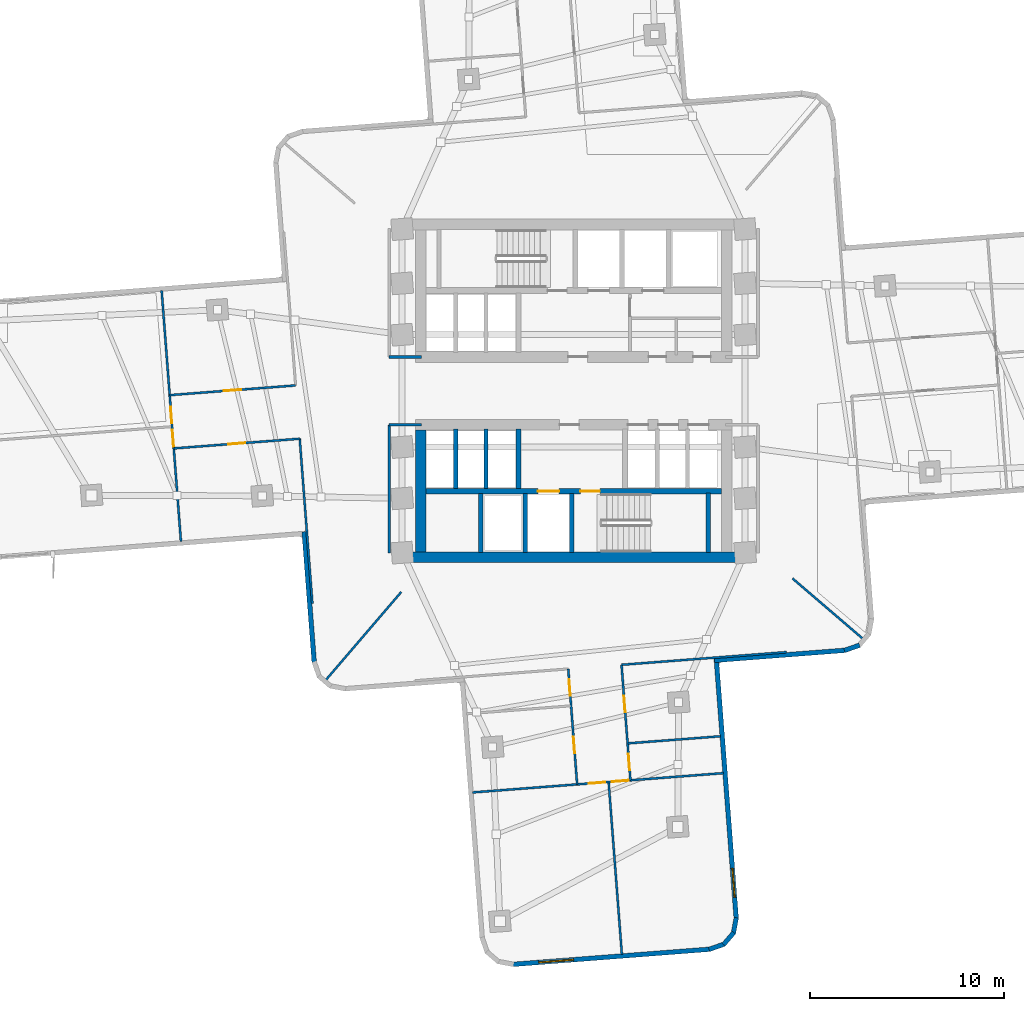
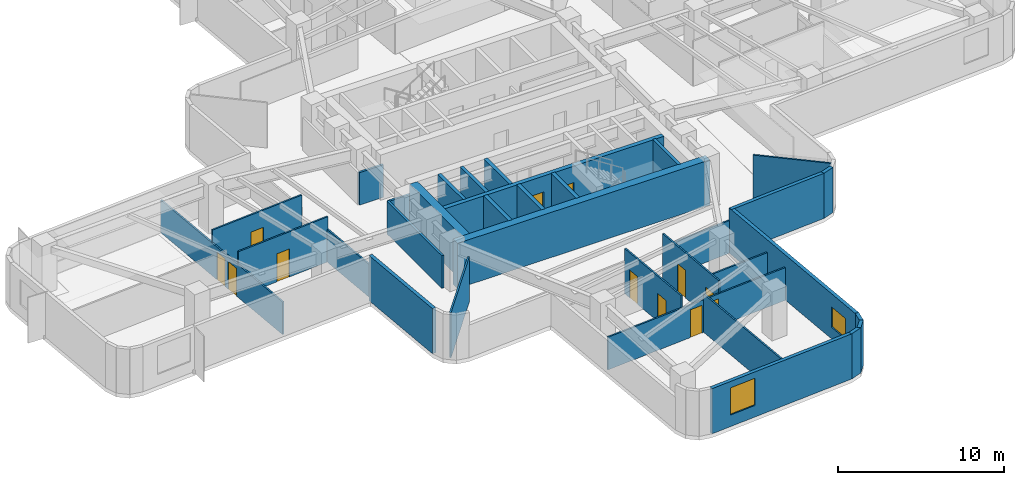
# One storey, part 3 of 10: 33 walls, 12 doors, 2 windows, 14 openings.
"""IFC4 building model written with IfcOpenShell, lengths in metres."""

from ifc_helpers import new_model, si_unit, direction, frame, frame_2d, origin, place, context, subcontext, project, spatial, rectangle, extrude, material, layer, layer_set, type_object, element, fill, save


model = new_model("IFC4")

# Units and contexts
model_context = context("Model", 3, precision=1e-05, world=origin(), true_north=direction((0.0, 1.0)))
body_context = subcontext(model_context, "Body", "Model", "MODEL_VIEW")
ifc_project = project(units=[si_unit("LENGTHUNIT", "METRE"), si_unit("AREAUNIT", "SQUARE_METRE"), si_unit("VOLUMEUNIT", "CUBIC_METRE"), si_unit("PLANEANGLEUNIT", "RADIAN"), si_unit("MASSUNIT", "GRAM", prefix="KILO")], contexts=[model_context])

# Site, building, storey
site_placement = place(None, origin())
site = spatial("IfcSite", under=ifc_project, at=site_placement, CompositionType="ELEMENT")
building_placement = place(site_placement, origin())
building = spatial("IfcBuilding", under=site, at=building_placement, Name="Solmarez Civic Tower", CompositionType="ELEMENT")
storey_placement = place(building_placement, frame((0.0, 0.0, 56.8798828125)))
storey = spatial("IfcBuildingStorey", under=building, at=storey_placement, Name="L14", CompositionType="ELEMENT", Elevation=56.8798828125)

# Walls
ifc_material_1 = material(Name="Concrete C60/75", Category="concrete")
ifc_layer_1 = layer(ifc_material_1, 0.550048828125)
ifc_layer_set_1 = layer_set([ifc_layer_1], Name="Concrete C60/75")
wall_type_1 = type_object("IfcWallType", Name="WALL-CORE-550", PredefinedType="SHEAR", material=ifc_layer_set_1)
wall_1_placement = place(storey_placement, frame((8.780029296875, -8.5849609375, 0.0), z_axis=(0.0, 0.0, 1.0), x_axis=(-1.0, 0.0, 0.0)))
element("IfcWall", 1, at=wall_1_placement, inside=storey, type_object=wall_type_1, Name="L14 Split-Core Structural Wall SCW-S-L14", PredefinedType="SHEAR", context=body_context, shape_type="SweptSolid", body=[
    extrude(rectangle(XDim=17.56005859375, YDim=0.550048828125, at=frame_2d((8.780029296875, 0.0))), origin(), (0.0, 0.0, 1.0), 3.320068359375),
])
wall_2_placement = place(storey_placement, frame((-7.89501953125, -8.31005859375, 0.0), z_axis=(0.0, 0.0, 1.0), x_axis=(0.0, 1.0, 0.0)))
element("IfcWall", 2, at=wall_2_placement, inside=storey, type_object=wall_type_1, Name="L14 Split-Core Structural Wall SCW-W-L14", PredefinedType="SHEAR", context=body_context, shape_type="SweptSolid", body=[
    extrude(rectangle(XDim=6.28515625, YDim=0.550048828125, at=frame_2d((3.142578125, 0.0))), origin(), (0.0, 0.0, 1.0), 3.320068359375),
])
ifc_material_2 = material(Name="Precast concrete C40/50", Category="concrete")
ifc_layer_2 = layer(ifc_material_2, 0.239990234375)
ifc_layer_set_2 = layer_set([ifc_layer_2], Name="Precast concrete C40/50")
wall_type_2 = type_object("IfcWallType", Name="WALL-EXT-240", PredefinedType="SOLIDWALL", material=ifc_layer_set_2)
wall_3_placement = place(storey_placement, frame((14.762939453125, -13.1279296875, 0.0), z_axis=(0.0, 0.0, 1.0), x_axis=(-0.943569376564, -0.331174926, 0.0)))
element("IfcWall", 3, at=wall_3_placement, inside=storey, type_object=wall_type_2, Name="L14 Exterior Precast Wall 52", PredefinedType="SOLIDWALL", context=body_context, shape_type="SweptSolid", body=[
    extrude(rectangle(XDim=0.830810546875, YDim=0.239990234375, at=frame_2d((0.41552734375, 0.0))), origin(), (0.0, 0.0, 1.0), 3.320068359375),
])
wall_4_placement = place(storey_placement, frame((14.028076171875, -13.39306640625, 0.0), z_axis=(0.0, 0.0, 1.0), x_axis=(-0.997050032451, -0.076754366588, 0.0)))
element("IfcWall", 4, at=wall_4_placement, inside=storey, type_object=wall_type_2, Name="L14 Exterior Precast Wall 53", PredefinedType="SOLIDWALL", context=body_context, shape_type="SweptSolid", body=[
    extrude(rectangle(XDim=6.775146484375, YDim=0.239990234375, at=frame_2d((3.3876953125, 0.0))), origin(), (0.0, 0.0, 1.0), 3.320068359375),
])

# Wall, opening, window
wall_5_placement = place(storey_placement, frame((7.362060546875, -13.81005859375, 0.0), z_axis=(0.0, 0.0, 1.0), x_axis=(0.076653550573, -0.997057788287, 0.0)))
wall_5 = element("IfcWall", 5, at=wall_5_placement, inside=storey, type_object=wall_type_2, Name="L14 Exterior Precast Wall 56", PredefinedType="SOLIDWALL", context=body_context, shape_type="SweptSolid", body=[
    extrude(rectangle(XDim=13.4755859375, YDim=0.239990234375, at=frame_2d((6.73779296875, 0.0))), origin(), (0.0, 0.0, 1.0), 3.320068359375),
])
opening_1_placement = place(wall_5_placement, frame((10.8759765625, 0.0, 0.85009765625)))
opening_1 = element("IfcOpeningElement", 6, at=opening_1_placement, cuts=wall_5, Name="Opening W-14", PredefinedType="OPENING", context=body_context, shape_type="SweptSolid", body=[
    extrude(rectangle(XDim=1.5, YDim=1.5, at=frame_2d((0.75, 0.75))), frame((0.0, 0.1298828125, 0.0), z_axis=(0.0, -1.0, 0.0), x_axis=(1.0, 0.0, 0.0)), (0.0, 0.0, 1.0), 0.260009765625),
])
ifc_material_3 = material(Name="Solar Control Bronze-Tinted Insulating Glass", Category="glass")
window_type_1 = type_object("IfcWindowType", Name="WIN-1500X1500", PartitioningType="SINGLE_PANEL", PredefinedType="WINDOW", material=ifc_material_3)
window_1_placement = place(opening_1_placement, origin())
window_1 = element("IfcWindow", 7, at=window_1_placement, inside=storey, type_object=window_type_1, Name="L14 Exterior Facade Window 56", OverallHeight=1.5, OverallWidth=1.5, PartitioningType="SINGLE_PANEL", PredefinedType="WINDOW", context=body_context, shape_type="SweptSolid", body=[
    extrude(rectangle(XDim=1.5, YDim=1.5, at=frame_2d((0.75, 0.75))), frame((0.0, 0.030029296875, 0.0), z_axis=(0.0, -1.0, 0.0), x_axis=(1.0, 0.0, 0.0)), (0.0, 0.0, 1.0), 0.06005859375),
])
fill(opening_1, window_1)

# Walls
wall_6_placement = place(storey_placement, frame((8.39794921875, -27.196044921875, 0.0), z_axis=(0.0, 0.0, 1.0), x_axis=(-0.184110958028, -0.982905466021, 0.0)))
element("IfcWall", 8, at=wall_6_placement, inside=storey, type_object=wall_type_2, Name="L14 Exterior Precast Wall 57", PredefinedType="SOLIDWALL", context=body_context, shape_type="SweptSolid", body=[
    extrude(rectangle(XDim=0.830078125, YDim=0.239990234375, at=frame_2d((0.4150390625, 0.0))), origin(), (0.0, 0.0, 1.0), 3.320068359375),
])
wall_7_placement = place(storey_placement, frame((8.26611328125, -27.968017578125, 0.0), z_axis=(0.0, 0.0, 1.0), x_axis=(-0.65106299761, -0.759023697352, 0.0)))
element("IfcWall", 9, at=wall_7_placement, inside=storey, type_object=wall_type_2, Name="L14 Exterior Precast Wall 58", PredefinedType="SOLIDWALL", context=body_context, shape_type="SweptSolid", body=[
    extrude(rectangle(XDim=0.814208984375, YDim=0.239990234375, at=frame_2d((0.4072265625, 0.0))), origin(), (0.0, 0.0, 1.0), 3.320068359375),
])
wall_8_placement = place(storey_placement, frame((7.77587890625, -28.55908203125, 0.0), z_axis=(0.0, 0.0, 1.0), x_axis=(-0.943293653353, -0.331959460694, 0.0)))
element("IfcWall", 10, at=wall_8_placement, inside=storey, type_object=wall_type_2, Name="L14 Exterior Precast Wall 59", PredefinedType="SOLIDWALL", context=body_context, shape_type="SweptSolid", body=[
    extrude(rectangle(XDim=0.8310546875, YDim=0.239990234375, at=frame_2d((0.41552734375, 0.0))), origin(), (0.0, 0.0, 1.0), 3.320068359375),
])

# Wall, opening, window
wall_9_placement = place(storey_placement, frame((7.041015625, -28.824951171875, 0.0), z_axis=(0.0, 0.0, 1.0), x_axis=(-0.997052658111, -0.076720251263, 0.0)))
wall_9 = element("IfcWall", 11, at=wall_9_placement, inside=storey, type_object=wall_type_2, Name="L14 Exterior Precast Wall 60", PredefinedType="SOLIDWALL", context=body_context, shape_type="SweptSolid", body=[
    extrude(rectangle(XDim=10.218017578125, YDim=0.239990234375, at=frame_2d((5.10888671875, 0.0))), origin(), (0.0, 0.0, 1.0), 3.320068359375),
])
opening_2_placement = place(wall_9_placement, frame((7.070068359375, 0.0, 0.85009765625)))
opening_2 = element("IfcOpeningElement", 12, at=opening_2_placement, cuts=wall_9, Name="Opening W-04", PredefinedType="OPENING", context=body_context, shape_type="SweptSolid", body=[
    extrude(rectangle(XDim=1.800048828125, YDim=2.0, at=frame_2d((0.89990234375, 1.0))), frame((0.0, 0.1298828125, 0.0), z_axis=(0.0, -1.0, 0.0), x_axis=(1.0, 0.0, 0.0)), (0.0, 0.0, 1.0), 0.260009765625),
])
window_type_2 = type_object("IfcWindowType", Name="WIN-1800X2000", PartitioningType="SINGLE_PANEL", PredefinedType="WINDOW", material=ifc_material_3)
window_2_placement = place(opening_2_placement, origin())
window_2 = element("IfcWindow", 13, at=window_2_placement, inside=storey, type_object=window_type_2, Name="L14 Exterior Facade Window 60", OverallHeight=2.0, OverallWidth=1.800048828125, PartitioningType="SINGLE_PANEL", PredefinedType="WINDOW", context=body_context, shape_type="SweptSolid", body=[
    extrude(rectangle(XDim=1.800048828125, YDim=2.0, at=frame_2d((0.89990234375, 1.0))), frame((0.0, 0.030029296875, 0.0), z_axis=(0.0, -1.0, 0.0), x_axis=(1.0, 0.0, 0.0)), (0.0, 0.0, 1.0), 0.06005859375),
])
fill(opening_2, window_2)

# Walls
wall_10_placement = place(storey_placement, frame((-13.39306640625, -14.028076171875, 0.0), z_axis=(0.0, 0.0, 1.0), x_axis=(-0.076754366588, 0.997050032451, 0.0)))
element("IfcWall", 14, at=wall_10_placement, inside=storey, type_object=wall_type_2, Name="L14 Exterior Precast Wall 71", PredefinedType="SOLIDWALL", context=body_context, shape_type="SweptSolid", body=[
    extrude(rectangle(XDim=6.775146484375, YDim=0.239990234375, at=frame_2d((3.3876953125, 0.0))), origin(), (0.0, 0.0, 1.0), 3.320068359375),
])
ifc_material_4 = material(Name="Gypsum Board Acoustic Steel-Stud Partition", Category="steel")
ifc_layer_3 = layer(ifc_material_4, 0.14990234375)
ifc_layer_set_3 = layer_set([ifc_layer_3], Name="Gypsum Board Acoustic Steel-Stud Partition")
wall_type_3 = type_object("IfcWallType", Name="WALL-INT-FIRE-150", PredefinedType="PARTITIONING", material=ifc_layer_set_3)
wall_11_placement = place(storey_placement, frame((-7.85009765625, 1.75, 0.0), z_axis=(0.0, 0.0, 1.0), x_axis=(-1.0, 0.0, 0.0)))
element("IfcWall", 15, at=wall_11_placement, inside=storey, type_object=wall_type_3, Name="L14 Interior Partition CHW-L14-WN3", PredefinedType="PARTITIONING", context=body_context, shape_type="SweptSolid", body=[
    extrude(rectangle(XDim=1.669921875, YDim=0.14990234375, at=frame_2d((0.8349609375, 0.0))), origin(), (0.0, 0.0, 1.0), 2.385009765625),
])
wall_12_placement = place(storey_placement, frame((-9.52001953125, -8.3798828125, 0.0), z_axis=(0.0, 0.0, 1.0), x_axis=(0.0, 1.0, 0.0)))
element("IfcWall", 16, at=wall_12_placement, inside=storey, type_object=wall_type_3, Name="L14 Interior Partition CHW-L14-WS1", PredefinedType="PARTITIONING", context=body_context, shape_type="SweptSolid", body=[
    extrude(rectangle(XDim=6.6298828125, YDim=0.14990234375, at=frame_2d((3.31494140625, 0.0))), origin(), (0.0, 0.0, 1.0), 2.401123046875),
])
wall_13_placement = place(storey_placement, frame((-7.85009765625, -1.75, 0.0), z_axis=(0.0, 0.0, 1.0), x_axis=(-1.0, 0.0, 0.0)))
element("IfcWall", 17, at=wall_13_placement, inside=storey, type_object=wall_type_3, Name="L14 Interior Partition CHW-L14-WS3", PredefinedType="PARTITIONING", context=body_context, shape_type="SweptSolid", body=[
    extrude(rectangle(XDim=1.669921875, YDim=0.14990234375, at=frame_2d((0.8349609375, 0.0))), origin(), (0.0, 0.0, 1.0), 2.385009765625),
])
ifc_layer_4 = layer(ifc_material_4, 0.110107421875)
ifc_layer_set_4 = layer_set([ifc_layer_4], Name="Gypsum Board Acoustic Steel-Stud Partition")
wall_type_4 = type_object("IfcWallType", Name="WALL-INT-PART-110", PredefinedType="PARTITIONING", material=ifc_layer_set_4)
wall_14_placement = place(storey_placement, frame((-8.89697265625, -10.3798828125, 0.0), z_axis=(0.0, 0.0, 1.0), x_axis=(-0.650777932984, -0.759268122564, 0.0)))
element("IfcWall", 18, at=wall_14_placement, inside=storey, type_object=wall_type_4, Name="L14 Interior Partition PT-L14-QDIV-3", PredefinedType="PARTITIONING", context=body_context, shape_type="SweptSolid", body=[
    extrude(rectangle(XDim=5.983642578125, YDim=0.110107421875, at=frame_2d((2.99169921875, 0.0))), origin(), (0.0, 0.0, 1.0), 3.320068359375),
])
wall_15_placement = place(storey_placement, frame((11.300048828125, -9.68505859375, 0.0), z_axis=(0.0, 0.0, 1.0), x_axis=(0.759206042513, -0.650850355313, 0.0)))
element("IfcWall", 19, at=wall_15_placement, inside=storey, type_object=wall_type_4, Name="L14 Interior Partition PT-L14-QDIV-4", PredefinedType="PARTITIONING", context=body_context, shape_type="SweptSolid", body=[
    extrude(rectangle(XDim=4.772216796875, YDim=0.110107421875, at=frame_2d((2.38623046875, 0.0))), origin(), (0.0, 0.0, 1.0), 3.320068359375),
])
wall_16_placement = place(storey_placement, frame((-14.14306640625, -2.4619140625, 0.0), z_axis=(0.0, 0.0, 1.0), x_axis=(0.076722700704, -0.997052469631, 0.0)))
element("IfcWall", 20, at=wall_16_placement, inside=storey, type_object=wall_type_4, Name="L14 Interior Partition PT-L14-W-EFL", PredefinedType="PARTITIONING", context=body_context, shape_type="SweptSolid", body=[
    extrude(rectangle(XDim=8.55029296875, YDim=0.110107421875, at=frame_2d((4.275146484375, 0.0))), origin(), (0.0, 0.0, 1.0), 2.401123046875),
])

# Wall, opening, door
wall_17_placement = place(storey_placement, frame((-20.64306640625, -2.971923828125, 0.0), z_axis=(0.0, 0.0, 1.0), x_axis=(0.997055366468, 0.076685045461, 0.0)))
wall_17 = element("IfcWall", 21, at=wall_17_placement, inside=storey, type_object=wall_type_4, Name="L14 Interior Partition PT-L14-W-SL", PredefinedType="PARTITIONING", context=body_context, shape_type="SweptSolid", body=[
    extrude(rectangle(XDim=6.520263671875, YDim=0.110107421875, at=frame_2d((3.26025390625, 0.0))), origin(), (0.0, 0.0, 1.0), 3.320068359375),
])
opening_3_placement = place(wall_17_placement, frame((2.81005859375, 0.0, 0.0)))
opening_3 = element("IfcOpeningElement", 22, at=opening_3_placement, cuts=wall_17, Name="Opening D-08", PredefinedType="OPENING", context=body_context, shape_type="SweptSolid", body=[
    extrude(rectangle(XDim=0.89990234375, YDim=2.06005859375, at=frame_2d((0.449951171875, 1.030029296875))), frame((0.0, 0.06494140625, 0.0), z_axis=(0.0, -1.0, 0.0), x_axis=(1.0, 0.0, 0.0)), (0.0, 0.0, 1.0), 0.130126953125),
])
ifc_material_5 = material(Name="Solid-Core Timber Office Door", Category="wood")
door_type_1 = type_object("IfcDoorType", Name="DOOR-INT-900", OperationType="NOTDEFINED", PredefinedType="DOOR", material=ifc_material_5)
door_1_placement = place(opening_3_placement, origin())
door_1 = element("IfcDoor", 23, at=door_1_placement, inside=storey, type_object=door_type_1, Name="L14 Delegates Sitting Lounge West Door", OperationType="SINGLE_SWING_LEFT", OverallHeight=2.06005859375, OverallWidth=0.89990234375, PredefinedType="DOOR", context=body_context, shape_type="SweptSolid", body=[
    extrude(rectangle(XDim=0.89990234375, YDim=2.06005859375, at=frame_2d((0.449951171875, 1.030029296875))), frame((0.0, 0.02490234375, 0.0), z_axis=(0.0, -1.0, 0.0), x_axis=(1.0, 0.0, 0.0)), (0.0, 0.0, 1.0), 0.050048828125),
])
fill(opening_3, door_1)

wall_18_placement = place(storey_placement, frame((-14.35400390625, 0.280029296875, 0.0), z_axis=(0.0, 0.0, 1.0), x_axis=(-0.997043903764, -0.076833937604, 0.0)))
wall_18 = element("IfcWall", 24, at=wall_18_placement, inside=storey, type_object=wall_type_4, Name="L14 Interior Partition PT-L14-W-SR", PredefinedType="PARTITIONING", context=body_context, shape_type="SweptSolid", body=[
    extrude(rectangle(XDim=6.520263671875, YDim=0.110107421875, at=frame_2d((3.26025390625, 0.0))), origin(), (0.0, 0.0, 1.0), 3.320068359375),
])
opening_4_placement = place(wall_18_placement, frame((2.81005859375, 0.0, 0.0)))
opening_4 = element("IfcOpeningElement", 25, at=opening_4_placement, cuts=wall_18, Name="Opening D-08", PredefinedType="OPENING", context=body_context, shape_type="SweptSolid", body=[
    extrude(rectangle(XDim=0.89990234375, YDim=2.06005859375, at=frame_2d((0.449951171875, 1.030029296875))), frame((0.0, 0.06494140625, 0.0), z_axis=(0.0, -1.0, 0.0), x_axis=(1.0, 0.0, 0.0)), (0.0, 0.0, 1.0), 0.130126953125),
])
door_2_placement = place(opening_4_placement, origin())
door_2 = element("IfcDoor", 26, at=door_2_placement, inside=storey, type_object=door_type_1, Name="L14 Civic Multi-Purpose Room West Door", OperationType="SINGLE_SWING_RIGHT", OverallHeight=2.06005859375, OverallWidth=0.89990234375, PredefinedType="DOOR", context=body_context, shape_type="SweptSolid", body=[
    extrude(rectangle(XDim=0.89990234375, YDim=2.06005859375, at=frame_2d((0.449951171875, 1.030029296875))), frame((0.0, 0.02490234375, 0.0), z_axis=(0.0, -1.0, 0.0), x_axis=(1.0, 0.0, 0.0)), (0.0, 0.0, 1.0), 0.050048828125),
])
fill(opening_4, door_2)

# Wall, openings, doors
wall_19_placement = place(storey_placement, frame((-20.27392578125, -7.77294921875, 0.0), z_axis=(0.0, 0.0, 1.0), x_axis=(-0.076686437656, 0.997055259391, 0.0)))
wall_19 = element("IfcWall", 27, at=wall_19_placement, inside=storey, type_object=wall_type_4, Name="L14 Interior Partition PT-L14-W-END", PredefinedType="PARTITIONING", context=body_context, shape_type="SweptSolid", body=[
    extrude(rectangle(XDim=12.9892578125, YDim=0.110107421875, at=frame_2d((6.49462890625, 0.0))), origin(), (0.0, 0.0, 1.0), 2.401123046875),
])
opening_5_placement = place(wall_19_placement, frame((6.114990234375, 0.0, 0.0)))
opening_5 = element("IfcOpeningElement", 28, at=opening_5_placement, cuts=wall_19, Name="Opening D-14", PredefinedType="OPENING", context=body_context, shape_type="SweptSolid", body=[
    extrude(rectangle(XDim=0.860107421875, YDim=2.0400390625, at=frame_2d((0.43017578125, 1.02001953125))), frame((0.0, 0.06494140625, 0.0), z_axis=(0.0, -1.0, 0.0), x_axis=(1.0, 0.0, 0.0)), (0.0, 0.0, 1.0), 0.130126953125),
])
opening_6_placement = place(wall_19_placement, frame((4.9150390625, 0.0, 0.0)))
opening_6 = element("IfcOpeningElement", 29, at=opening_6_placement, cuts=wall_19, Name="Opening D-14", PredefinedType="OPENING", context=body_context, shape_type="SweptSolid", body=[
    extrude(rectangle(XDim=0.860107421875, YDim=2.0400390625, at=frame_2d((0.43017578125, 1.02001953125))), frame((0.0, 0.06494140625, 0.0), z_axis=(0.0, -1.0, 0.0), x_axis=(1.0, 0.0, 0.0)), (0.0, 0.0, 1.0), 0.130126953125),
])
ifc_material_6 = material(Name="Timber Storage and Pantry Door", Category="wood")
door_type_2 = type_object("IfcDoorType", Name="DOOR-INT-850", OperationType="NOTDEFINED", PredefinedType="DOOR", material=ifc_material_6)
door_3_placement = place(opening_5_placement, origin())
door_3 = element("IfcDoor", 30, at=door_3_placement, inside=storey, type_object=door_type_2, Name="L14 Catering Servery Sixth West Door", OperationType="SINGLE_SWING_RIGHT", OverallHeight=2.0400390625, OverallWidth=0.860107421875, PredefinedType="DOOR", context=body_context, shape_type="SweptSolid", body=[
    extrude(rectangle(XDim=0.860107421875, YDim=2.0400390625, at=frame_2d((0.43017578125, 1.02001953125))), frame((0.0, 0.02490234375, 0.0), z_axis=(0.0, -1.0, 0.0), x_axis=(1.0, 0.0, 0.0)), (0.0, 0.0, 1.0), 0.050048828125),
])
fill(opening_5, door_3)
door_4_placement = place(opening_6_placement, origin())
door_4 = element("IfcDoor", 31, at=door_4_placement, inside=storey, type_object=door_type_2, Name="L14 Staff Dining Canteen Fifth West Door", OperationType="SINGLE_SWING_LEFT", OverallHeight=2.0400390625, OverallWidth=0.860107421875, PredefinedType="DOOR", context=body_context, shape_type="SweptSolid", body=[
    extrude(rectangle(XDim=0.860107421875, YDim=2.0400390625, at=frame_2d((0.43017578125, 1.02001953125))), frame((0.0, 0.02490234375, 0.0), z_axis=(0.0, -1.0, 0.0), x_axis=(1.0, 0.0, 0.0)), (0.0, 0.0, 1.0), 0.050048828125),
])
fill(opening_6, door_4)

# Walls
wall_20_placement = place(storey_placement, frame((2.4619140625, -14.14306640625, 0.0), z_axis=(0.0, 0.0, 1.0), x_axis=(0.997052469631, 0.076722700704, 0.0)))
element("IfcWall", 32, at=wall_20_placement, inside=storey, type_object=wall_type_4, Name="L14 Interior Partition PT-L14-S-EFL", PredefinedType="PARTITIONING", context=body_context, shape_type="SweptSolid", body=[
    extrude(rectangle(XDim=8.55029296875, YDim=0.110107421875, at=frame_2d((4.275146484375, 0.0))), origin(), (0.0, 0.0, 1.0), 2.401123046875),
])
wall_21_placement = place(storey_placement, frame((2.803955078125, -18.197998046875, 0.0), z_axis=(0.0, 0.0, 1.0), x_axis=(0.997067648773, 0.076525183889, 0.0)))
element("IfcWall", 33, at=wall_21_placement, inside=storey, type_object=wall_type_4, Name="L14 Interior Partition PT-L14-S-LM", PredefinedType="PARTITIONING", context=body_context, shape_type="SweptSolid", body=[
    extrude(rectangle(XDim=4.795166015625, YDim=0.110107421875, at=frame_2d((2.3974609375, 0.0))), origin(), (0.0, 0.0, 1.0), 2.401123046875),
])

# Wall, openings, doors
wall_22_placement = place(storey_placement, frame((2.930908203125, -20.10400390625, 0.0), z_axis=(0.0, 0.0, 1.0), x_axis=(-0.076758943432, 0.997049680108, 0.0)))
wall_22 = element("IfcWall", 34, at=wall_22_placement, inside=storey, type_object=wall_type_4, Name="L14 Interior Partition PT-L14-S-SL", PredefinedType="PARTITIONING", context=body_context, shape_type="SweptSolid", body=[
    extrude(rectangle(XDim=5.9794921875, YDim=0.110107421875, at=frame_2d((2.98974609375, 0.0))), origin(), (0.0, 0.0, 1.0), 3.320068359375),
])
opening_7_placement = place(wall_22_placement, frame((3.514892578125, 0.0, 0.0)))
opening_7 = element("IfcOpeningElement", 35, at=opening_7_placement, cuts=wall_22, Name="Opening D-14", PredefinedType="OPENING", context=body_context, shape_type="SweptSolid", body=[
    extrude(rectangle(XDim=0.860107421875, YDim=2.0400390625, at=frame_2d((0.43017578125, 1.02001953125))), frame((0.0, 0.06494140625, 0.0), z_axis=(0.0, -1.0, 0.0), x_axis=(1.0, 0.0, 0.0)), (0.0, 0.0, 1.0), 0.130126953125),
])
opening_8_placement = place(wall_22_placement, frame((0.52490234375, 0.0, 0.0)))
opening_8 = element("IfcOpeningElement", 36, at=opening_8_placement, cuts=wall_22, Name="Opening D-14", PredefinedType="OPENING", context=body_context, shape_type="SweptSolid", body=[
    extrude(rectangle(XDim=0.860107421875, YDim=2.0400390625, at=frame_2d((0.43017578125, 1.02001953125))), frame((0.0, 0.06494140625, 0.0), z_axis=(0.0, -1.0, 0.0), x_axis=(1.0, 0.0, 0.0)), (0.0, 0.0, 1.0), 0.130126953125),
])
door_5_placement = place(opening_7_placement, origin())
door_5 = element("IfcDoor", 37, at=door_5_placement, inside=storey, type_object=door_type_2, Name="L14 Civic Multi-Purpose Room First South Door", OperationType="SINGLE_SWING_LEFT", OverallHeight=2.0400390625, OverallWidth=0.860107421875, PredefinedType="DOOR", context=body_context, shape_type="SweptSolid", body=[
    extrude(rectangle(XDim=0.860107421875, YDim=2.0400390625, at=frame_2d((0.43017578125, 1.02001953125))), frame((0.0, 0.02490234375, 0.0), z_axis=(0.0, -1.0, 0.0), x_axis=(1.0, 0.0, 0.0)), (0.0, 0.0, 1.0), 0.050048828125),
])
fill(opening_7, door_5)
door_6_placement = place(opening_8_placement, origin())
door_6 = element("IfcDoor", 38, at=door_6_placement, inside=storey, type_object=door_type_2, Name="L14 Staff Dining Canteen Second South Door", OperationType="SINGLE_SWING_RIGHT", OverallHeight=2.0400390625, OverallWidth=0.860107421875, PredefinedType="DOOR", context=body_context, shape_type="SweptSolid", body=[
    extrude(rectangle(XDim=0.860107421875, YDim=2.0400390625, at=frame_2d((0.43017578125, 1.02001953125))), frame((0.0, 0.02490234375, 0.0), z_axis=(0.0, -1.0, 0.0), x_axis=(1.0, 0.0, 0.0)), (0.0, 0.0, 1.0), 0.050048828125),
])
fill(opening_8, door_6)

wall_23_placement = place(storey_placement, frame((-0.280029296875, -14.35400390625, 0.0), z_axis=(0.0, 0.0, 1.0), x_axis=(0.076758943432, -0.997049680108, 0.0)))
wall_23 = element("IfcWall", 39, at=wall_23_placement, inside=storey, type_object=wall_type_4, Name="L14 Interior Partition PT-L14-S-SR", PredefinedType="PARTITIONING", context=body_context, shape_type="SweptSolid", body=[
    extrude(rectangle(XDim=5.9794921875, YDim=0.110107421875, at=frame_2d((2.98974609375, 0.0))), origin(), (0.0, 0.0, 1.0), 3.320068359375),
])
opening_9_placement = place(wall_23_placement, frame((0.52490234375, 0.0, 0.0)))
opening_9 = element("IfcOpeningElement", 40, at=opening_9_placement, cuts=wall_23, Name="Opening D-14", PredefinedType="OPENING", context=body_context, shape_type="SweptSolid", body=[
    extrude(rectangle(XDim=0.860107421875, YDim=2.0400390625, at=frame_2d((0.43017578125, 1.02001953125))), frame((0.0, 0.06494140625, 0.0), z_axis=(0.0, -1.0, 0.0), x_axis=(1.0, 0.0, 0.0)), (0.0, 0.0, 1.0), 0.130126953125),
])
opening_10_placement = place(wall_23_placement, frame((3.514892578125, 0.0, 0.0)))
opening_10 = element("IfcOpeningElement", 41, at=opening_10_placement, cuts=wall_23, Name="Opening D-14", PredefinedType="OPENING", context=body_context, shape_type="SweptSolid", body=[
    extrude(rectangle(XDim=0.860107421875, YDim=2.0400390625, at=frame_2d((0.43017578125, 1.02001953125))), frame((0.0, 0.06494140625, 0.0), z_axis=(0.0, -1.0, 0.0), x_axis=(1.0, 0.0, 0.0)), (0.0, 0.0, 1.0), 0.130126953125),
])
door_7_placement = place(opening_9_placement, origin())
door_7 = element("IfcDoor", 42, at=door_7_placement, inside=storey, type_object=door_type_2, Name="L14 Catering Servery Third South Door", OperationType="SINGLE_SWING_RIGHT", OverallHeight=2.0400390625, OverallWidth=0.860107421875, PredefinedType="DOOR", context=body_context, shape_type="SweptSolid", body=[
    extrude(rectangle(XDim=0.860107421875, YDim=2.0400390625, at=frame_2d((0.43017578125, 1.02001953125))), frame((0.0, 0.02490234375, 0.0), z_axis=(0.0, -1.0, 0.0), x_axis=(1.0, 0.0, 0.0)), (0.0, 0.0, 1.0), 0.050048828125),
])
fill(opening_9, door_7)
door_8_placement = place(opening_10_placement, origin())
door_8 = element("IfcDoor", 43, at=door_8_placement, inside=storey, type_object=door_type_2, Name="L14 Delegates Sitting Lounge Fourth South Door", OperationType="SINGLE_SWING_LEFT", OverallHeight=2.0400390625, OverallWidth=0.860107421875, PredefinedType="DOOR", context=body_context, shape_type="SweptSolid", body=[
    extrude(rectangle(XDim=0.860107421875, YDim=2.0400390625, at=frame_2d((0.43017578125, 1.02001953125))), frame((0.0, 0.02490234375, 0.0), z_axis=(0.0, -1.0, 0.0), x_axis=(1.0, 0.0, 0.0)), (0.0, 0.0, 1.0), 0.050048828125),
])
fill(opening_10, door_8)

# Wall
wall_24_placement = place(storey_placement, frame((1.80908203125, -20.2509765625, 0.0), z_axis=(0.0, 0.0, 1.0), x_axis=(0.076696498885, -0.997054485502, 0.0)))
element("IfcWall", 44, at=wall_24_placement, inside=storey, type_object=wall_type_4, Name="L14 Interior Partition PT-L14-S-TM", PredefinedType="PARTITIONING", context=body_context, shape_type="SweptSolid", body=[
    extrude(rectangle(XDim=8.865234375, YDim=0.110107421875, at=frame_2d((4.4326171875, 0.0))), origin(), (0.0, 0.0, 1.0), 2.81201171875),
])

# Wall, openings, doors
wall_25_placement = place(storey_placement, frame((7.73193359375, -19.735107421875, 0.0), z_axis=(0.0, 0.0, 1.0), x_axis=(-0.99705713822, -0.076662005745, 0.0)))
wall_25 = element("IfcWall", 45, at=wall_25_placement, inside=storey, type_object=wall_type_4, Name="L14 Interior Partition PT-L14-S-END", PredefinedType="PARTITIONING", context=body_context, shape_type="SweptSolid", body=[
    extrude(rectangle(XDim=12.990234375, YDim=0.110107421875, at=frame_2d((6.4951171875, 0.0))), origin(), (0.0, 0.0, 1.0), 2.401123046875),
])
opening_11_placement = place(wall_25_placement, frame((6.114990234375, 0.0, 0.0)))
opening_11 = element("IfcOpeningElement", 46, at=opening_11_placement, cuts=wall_25, Name="Opening D-14", PredefinedType="OPENING", context=body_context, shape_type="SweptSolid", body=[
    extrude(rectangle(XDim=0.860107421875, YDim=2.0400390625, at=frame_2d((0.43017578125, 1.02001953125))), frame((0.0, 0.06494140625, 0.0), z_axis=(0.0, -1.0, 0.0), x_axis=(1.0, 0.0, 0.0)), (0.0, 0.0, 1.0), 0.130126953125),
])
opening_12_placement = place(wall_25_placement, frame((4.9150390625, 0.0, 0.0)))
opening_12 = element("IfcOpeningElement", 47, at=opening_12_placement, cuts=wall_25, Name="Opening D-14", PredefinedType="OPENING", context=body_context, shape_type="SweptSolid", body=[
    extrude(rectangle(XDim=0.860107421875, YDim=2.0400390625, at=frame_2d((0.43017578125, 1.02001953125))), frame((0.0, 0.06494140625, 0.0), z_axis=(0.0, -1.0, 0.0), x_axis=(1.0, 0.0, 0.0)), (0.0, 0.0, 1.0), 0.130126953125),
])
door_9_placement = place(opening_11_placement, origin())
door_9 = element("IfcDoor", 48, at=door_9_placement, inside=storey, type_object=door_type_2, Name="L14 Delegates Sitting Lounge Sixth South Door", OperationType="SINGLE_SWING_RIGHT", OverallHeight=2.0400390625, OverallWidth=0.860107421875, PredefinedType="DOOR", context=body_context, shape_type="SweptSolid", body=[
    extrude(rectangle(XDim=0.860107421875, YDim=2.0400390625, at=frame_2d((0.43017578125, 1.02001953125))), frame((0.0, 0.02490234375, 0.0), z_axis=(0.0, -1.0, 0.0), x_axis=(1.0, 0.0, 0.0)), (0.0, 0.0, 1.0), 0.050048828125),
])
fill(opening_11, door_9)
door_10_placement = place(opening_12_placement, origin())
door_10 = element("IfcDoor", 49, at=door_10_placement, inside=storey, type_object=door_type_2, Name="L14 Catering Servery Fifth South Door", OperationType="SINGLE_SWING_LEFT", OverallHeight=2.0400390625, OverallWidth=0.860107421875, PredefinedType="DOOR", context=body_context, shape_type="SweptSolid", body=[
    extrude(rectangle(XDim=0.860107421875, YDim=2.0400390625, at=frame_2d((0.43017578125, 1.02001953125))), frame((0.0, 0.02490234375, 0.0), z_axis=(0.0, -1.0, 0.0), x_axis=(1.0, 0.0, 0.0)), (0.0, 0.0, 1.0), 0.050048828125),
])
fill(opening_12, door_10)

ifc_material_7 = material(Name="Concrete C50/60", Category="concrete")
ifc_layer_5 = layer(ifc_material_7, 0.300048828125)
ifc_layer_set_5 = layer_set([ifc_layer_5], Name="Concrete C50/60")
wall_type_5 = type_object("IfcWallType", Name="WALL-STR-300", PredefinedType="SOLIDWALL", material=ifc_layer_set_5)
wall_26_placement = place(storey_placement, frame((-7.6201171875, -5.179931640625, 0.0), z_axis=(0.0, 0.0, 1.0), x_axis=(1.0, 0.0, 0.0)))
wall_26 = element("IfcWall", 50, at=wall_26_placement, inside=storey, type_object=wall_type_5, Name="L14 Split-Core Structural Wall SCW-M-L14", PredefinedType="SOLIDWALL", context=body_context, shape_type="SweptSolid", body=[
    extrude(rectangle(XDim=15.240234375, YDim=0.300048828125, at=frame_2d((7.6201171875, 0.0))), origin(), (0.0, 0.0, 1.0), 3.320068359375),
])
opening_13_placement = place(wall_26_placement, frame((5.77001953125, 0.0, 0.0)))
opening_13 = element("IfcOpeningElement", 51, at=opening_13_placement, cuts=wall_26, Name="Opening LD-02", PredefinedType="OPENING", context=body_context, shape_type="SweptSolid", body=[
    extrude(rectangle(XDim=1.10009765625, YDim=2.14990234375, at=frame_2d((0.550048828125, 1.074951171875))), frame((0.0, 0.159912109375, 0.0), z_axis=(0.0, -1.0, 0.0), x_axis=(1.0, 0.0, 0.0)), (0.0, 0.0, 1.0), 0.320068359375),
])
opening_14_placement = place(wall_26_placement, frame((7.969970703125, 0.0, 0.0)))
opening_14 = element("IfcOpeningElement", 52, at=opening_14_placement, cuts=wall_26, Name="Opening D-05", PredefinedType="OPENING", context=body_context, shape_type="SweptSolid", body=[
    extrude(rectangle(XDim=1.0, YDim=2.10009765625, at=frame_2d((0.5, 1.050048828125))), frame((0.0, 0.159912109375, 0.0), z_axis=(0.0, -1.0, 0.0), x_axis=(1.0, 0.0, 0.0)), (0.0, 0.0, 1.0), 0.320068359375),
])
ifc_material_8 = material(Name="Fire-Rated Stairwell Exit Door", Category="wood")
door_type_3 = type_object("IfcDoorType", Name="DOOR-FD90-1000", OperationType="NOTDEFINED", PredefinedType="DOOR", material=ifc_material_8)
door_11_placement = place(opening_14_placement, origin())
door_11 = element("IfcDoor", 53, at=door_11_placement, inside=storey, type_object=door_type_3, Name="L14 South Exit Stair Door ST-2", OperationType="SINGLE_SWING_RIGHT", OverallHeight=2.10009765625, OverallWidth=1.0, PredefinedType="DOOR", context=body_context, shape_type="SweptSolid", body=[
    extrude(rectangle(XDim=1.0, YDim=2.10009765625, at=frame_2d((0.5, 1.050048828125))), frame((0.0, 0.02490234375, 0.0), z_axis=(0.0, -1.0, 0.0), x_axis=(1.0, 0.0, 0.0)), (0.0, 0.0, 1.0), 0.050048828125),
])
fill(opening_14, door_11)
ifc_material_9 = material(Name="Stainless Firefighting Lift Landing Sliding Door", Category="aluminium")
door_type_4 = type_object("IfcDoorType", Name="DOOR-LD-FF-1100", OperationType="DOUBLE_DOOR_SLIDING", PredefinedType="DOOR", material=ifc_material_9)
door_12_placement = place(opening_13_placement, origin())
door_12 = element("IfcDoor", 54, at=door_12_placement, inside=storey, type_object=door_type_4, Name="L14 Firefighting Lift Landing Door FFL-2", OperationType="DOUBLE_DOOR_SLIDING", OverallHeight=2.14990234375, OverallWidth=1.10009765625, PredefinedType="DOOR", context=body_context, shape_type="SweptSolid", body=[
    extrude(rectangle(XDim=1.10009765625, YDim=2.14990234375, at=frame_2d((0.550048828125, 1.074951171875))), frame((0.0, 0.02490234375, 0.0), z_axis=(0.0, -1.0, 0.0), x_axis=(1.0, 0.0, 0.0)), (0.0, 0.0, 1.0), 0.050048828125),
])
fill(opening_13, door_12)

# Walls
wall_27_placement = place(storey_placement, frame((6.949951171875, -8.340087890625, 0.0), z_axis=(0.0, 0.0, 1.0), x_axis=(0.0, 1.0, 0.0)))
element("IfcWall", 55, at=wall_27_placement, inside=storey, type_object=wall_type_5, Name="L14 Split-Core Structural Wall SHW-SE-L14", PredefinedType="SOLIDWALL", context=body_context, shape_type="SweptSolid", body=[
    extrude(rectangle(XDim=3.06005859375, YDim=0.219970703125, at=frame_2d((1.530029296875, 0.0))), origin(), (0.0, 0.0, 1.0), 3.320068359375),
])
for number, where, z_axis, x_axis, name in (
    (56, (-0.10009765625, -8.340087890625, 0.0), (0.0, 0.0, 1.0), (0.0, 1.0, 0.0), "L14 Split-Core Structural Wall SHW-S1-L14"),
    (57, (-2.5, -8.340087890625, 0.0), (0.0, 0.0, 1.0), (0.0, 1.0, 0.0), "L14 Split-Core Structural Wall SHW-S2-L14"),
    (58, (-4.800048828125, -8.340087890625, 0.0), (0.0, 0.0, 1.0), (0.0, 1.0, 0.0), "L14 Split-Core Structural Wall SHW-S3-L14"),
):
    element("IfcWall", number, at=place(storey_placement, frame(where, z_axis=z_axis, x_axis=x_axis)), inside=storey, type_object=wall_type_5, Name=name, PredefinedType="SOLIDWALL", context=body_context, shape_type="SweptSolid", body=[
        extrude(rectangle(XDim=3.0400390625, YDim=0.25, at=frame_2d((1.52001953125, 0.0))), origin(), (0.0, 0.0, 1.0), 3.320068359375),
    ])
wall_28_placement = place(storey_placement, frame((-2.85009765625, -5.050048828125, 0.0), z_axis=(0.0, 0.0, 1.0), x_axis=(0.0, 1.0, 0.0)))
element("IfcWall", 59, at=wall_28_placement, inside=storey, type_object=wall_type_5, Name="L14 Split-Core Structural Wall SHW-SL1-L14", PredefinedType="SOLIDWALL", context=body_context, shape_type="SweptSolid", body=[
    extrude(rectangle(XDim=3.070068359375, YDim=0.25, at=frame_2d((1.53515625, 0.0))), origin(), (0.0, 0.0, 1.0), 3.320068359375),
])
for number, where, z_axis, x_axis, name in (
    (60, (-6.080078125, -5.050048828125, 0.0), (0.0, 0.0, 1.0), (0.0, 1.0, 0.0), "L14 Split-Core Structural Wall SHW-PLM-L14-1"),
    (61, (-4.52001953125, -5.050048828125, 0.0), (0.0, 0.0, 1.0), (0.0, 1.0, 0.0), "L14 Split-Core Structural Wall SHW-PLM-L14-2"),
):
    element("IfcWall", number, at=place(storey_placement, frame(where, z_axis=z_axis, x_axis=x_axis)), inside=storey, type_object=wall_type_5, Name=name, PredefinedType="SOLIDWALL", context=body_context, shape_type="SweptSolid", body=[
        extrude(rectangle(XDim=3.070068359375, YDim=0.219970703125, at=frame_2d((1.53515625, 0.0))), origin(), (0.0, 0.0, 1.0), 3.320068359375),
    ])

save(model, "model.ifc")
